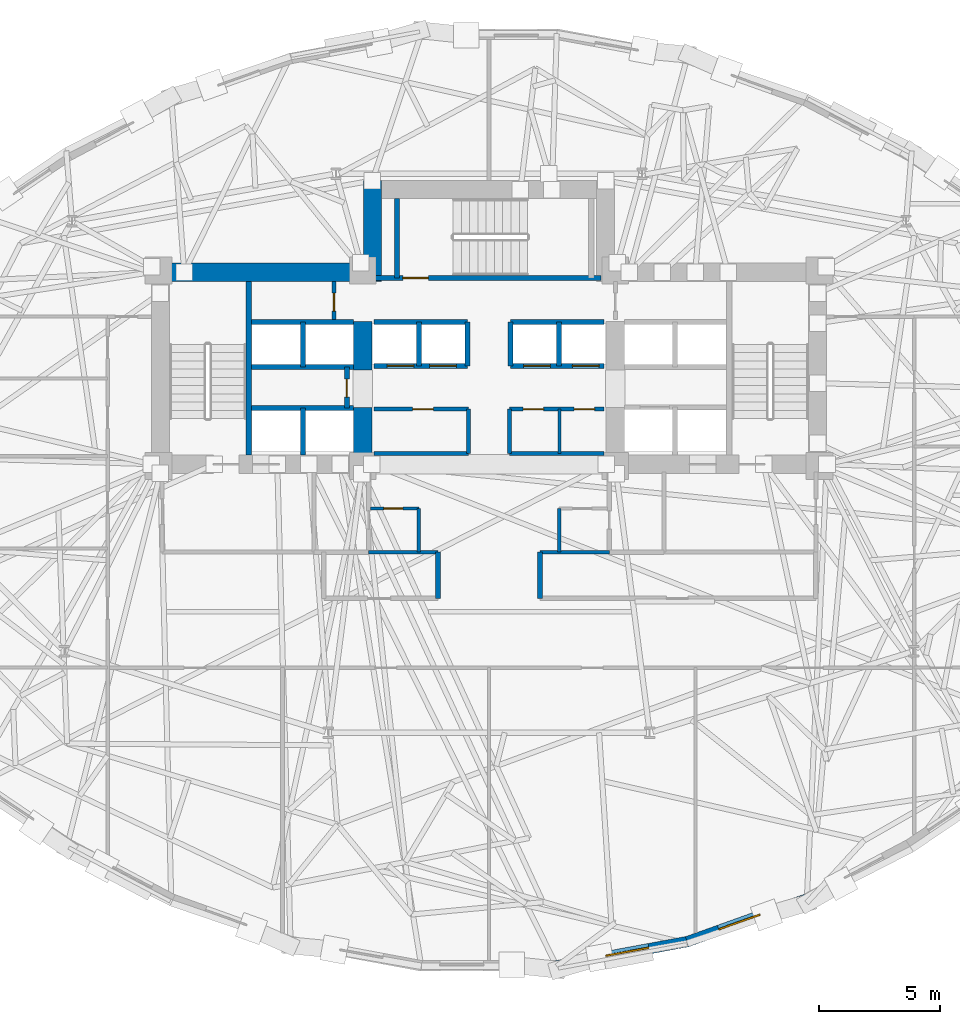
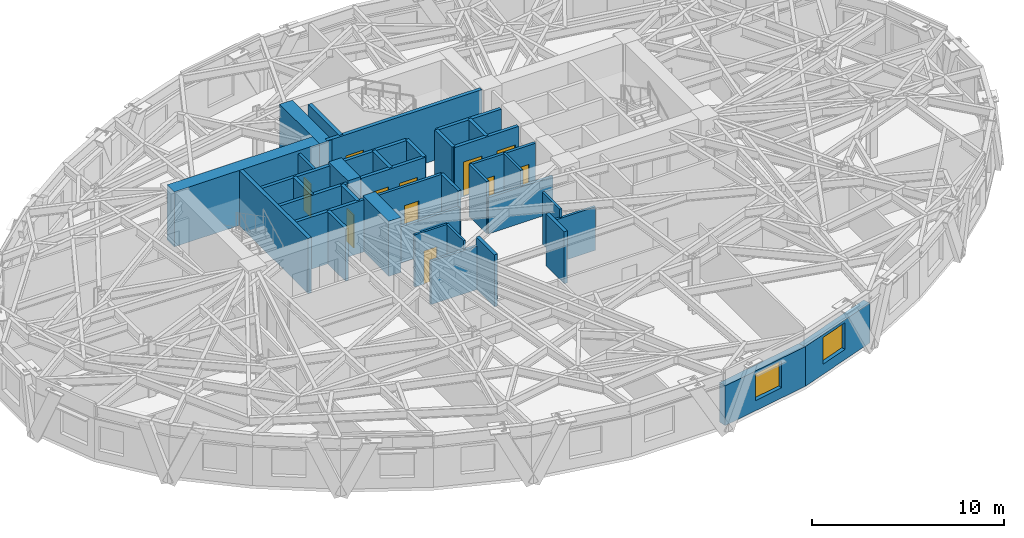
# One storey, part 8 of 15: 38 walls, 11 doors, 2 windows, 13 openings.
"""IFC4 building model written with IfcOpenShell, lengths in metres."""

from ifc_helpers import new_model, si_unit, direction, frame, frame_2d, origin, place, context, subcontext, project, spatial, rectangle, extrude, material, layer, layer_set, type_object, element, fill, save


model = new_model("IFC4")

# Units and contexts
model_context = context("Model", 3, precision=1e-05, world=origin(), true_north=direction((0.0, 1.0)))
body_context = subcontext(model_context, "Body", "Model", "MODEL_VIEW")
ifc_project = project(units=[si_unit("LENGTHUNIT", "METRE"), si_unit("AREAUNIT", "SQUARE_METRE"), si_unit("VOLUMEUNIT", "CUBIC_METRE"), si_unit("PLANEANGLEUNIT", "RADIAN"), si_unit("MASSUNIT", "GRAM", prefix="KILO")], contexts=[model_context])

# Site, building, storey
site_placement = place(None, origin())
site = spatial("IfcSite", under=ifc_project, at=site_placement, CompositionType="ELEMENT")
building_placement = place(site_placement, origin())
building = spatial("IfcBuilding", under=site, at=building_placement, Name="Keldmark Tower", CompositionType="ELEMENT")
storey_placement = place(building_placement, frame((0.0, 0.0, 93.10009765625)))
storey = spatial("IfcBuildingStorey", under=building, at=storey_placement, Name="L24", CompositionType="ELEMENT", Elevation=93.10009765625)

# Walls
ifc_material_1 = material(Name="Heavy Acoustic Plumbing Chase Gypsum Assembly", Category="gypsum")
ifc_layer_1 = layer(ifc_material_1, 0.18994140625)
ifc_layer_set_1 = layer_set([ifc_layer_1], Name="Heavy Acoustic Plumbing Chase Gypsum Assembly")
wall_type_1 = type_object("IfcWallType", Name="Heavy Wet Wall 190 mm", PredefinedType="PLUMBINGWALL", material=ifc_layer_set_1)
for number, where, z_axis, x_axis, name in (
    (1, (-2.10009765625, -4.050048828125, 0.0), (0.0, 0.0, 1.0), (0.0, 1.0, 0.0), "L24 Heavy Wet Wall 190 mm SPK-W-E"),
    (2, (2.10009765625, -4.050048828125, 0.0), (0.0, 0.0, 1.0), (0.0, 1.0, 0.0), "L24 Heavy Wet Wall 190 mm SPK-E-W"),
):
    element("IfcWall", number, at=place(storey_placement, frame(where, z_axis=z_axis, x_axis=x_axis)), inside=storey, type_object=wall_type_1, Name=name, PredefinedType="PLUMBINGWALL", context=body_context, shape_type="SweptSolid", body=[
        extrude(rectangle(XDim=1.900146484375, YDim=0.18994140625, at=frame_2d((0.9501953125, 0.0))), origin(), (0.0, 0.0, 1.0), 3.309814453125),
    ])

# Wall, opening, door
ifc_material_2 = material(Name="Acoustic Gypsum Board Interior Partition", Category="gypsum")
ifc_layer_2 = layer(ifc_material_2, 0.1298828125)
ifc_layer_set_2 = layer_set([ifc_layer_2], Name="Acoustic Gypsum Board Interior Partition")
wall_type_2 = type_object("IfcWallType", Name="Interior Partition 130 mm", PredefinedType="PARTITIONING", material=ifc_layer_set_2)
wall_1_placement = place(storey_placement, frame((-4.8798828125, -0.35009765625, 0.0), z_axis=(0.0, 0.0, 1.0), x_axis=(1.0, 0.0, 0.0)))
wall_1 = element("IfcWall", 3, at=wall_1_placement, inside=storey, type_object=wall_type_2, Name="L24 Interior Partition 130 mm CSC-W-N", PredefinedType="PARTITIONING", context=body_context, shape_type="SweptSolid", body=[
    extrude(rectangle(XDim=1.989990234375, YDim=0.1298828125, at=frame_2d((0.9951171875, 0.0))), origin(), (0.0, 0.0, 1.0), 3.309814453125),
])
opening_1_placement = place(wall_1_placement, frame((0.550048828125, 0.0, 0.0)))
opening_1 = element("IfcOpeningElement", 4, at=opening_1_placement, cuts=wall_1, Name="Opening D-CL078", PredefinedType="OPENING", context=body_context, shape_type="SweptSolid", body=[
    extrude(rectangle(XDim=0.780029296875, YDim=2.10009765625, at=frame_2d((0.39013671875, 1.050048828125))), frame((0.0, 0.074951171875, 0.0), z_axis=(0.0, -1.0, 0.0), x_axis=(1.0, 0.0, 0.0)), (0.0, 0.0, 1.0), 0.14990234375),
])
ifc_material_3 = material(Name="Flush Utility Closet Timber Door", Category="wood")
door_type_1 = type_object("IfcDoorType", Name="Closet Door 780x2100", OperationType="NOTDEFINED", PredefinedType="DOOR", material=ifc_material_3)
door_1_placement = place(opening_1_placement, origin())
door_1 = element("IfcDoor", 5, at=door_1_placement, inside=storey, type_object=door_type_1, Name="L24 Closet Door 780x2100 D-CSCW1-L24", OperationType="SINGLE_SWING_LEFT", OverallHeight=2.10009765625, OverallWidth=0.780029296875, PredefinedType="DOOR", context=body_context, shape_type="SweptSolid", body=[
    extrude(rectangle(XDim=0.780029296875, YDim=2.10009765625, at=frame_2d((0.39013671875, 1.050048828125))), frame((0.0, 0.02490234375, 0.0), z_axis=(0.0, -1.0, 0.0), x_axis=(1.0, 0.0, 0.0)), (0.0, 0.0, 1.0), 0.050048828125),
])
fill(opening_1, door_1)

# Walls
for number, where, z_axis, x_axis, name in (
    (6, (-2.889892578125, -2.14990234375, 0.0), (0.0, 0.0, 1.0), (0.0, 1.0, 0.0), "L24 Interior Partition 130 mm CSC-W-E"),
    (7, (2.889892578125, -2.14990234375, 0.0), (0.0, 0.0, 1.0), (0.0, 1.0, 0.0), "L24 Interior Partition 130 mm CSC-E-W"),
):
    element("IfcWall", number, at=place(storey_placement, frame(where, z_axis=z_axis, x_axis=x_axis)), inside=storey, type_object=wall_type_2, Name=name, PredefinedType="PARTITIONING", context=body_context, shape_type="SweptSolid", body=[
        extrude(rectangle(XDim=1.7998046875, YDim=0.1298828125, at=frame_2d((0.89990234375, 0.0))), origin(), (0.0, 0.0, 1.0), 3.309814453125),
    ])
wall_2_placement = place(storey_placement, frame((2.89990234375, 1.919921875, 0.0), z_axis=(0.0, 0.0, 1.0), x_axis=(0.0, 1.0, 0.0)))
element("IfcWall", 8, at=wall_2_placement, inside=storey, type_object=wall_type_2, Name="L24 Interior Partition 130 mm REC-LE-M", PredefinedType="PARTITIONING", context=body_context, shape_type="SweptSolid", body=[
    extrude(rectangle(XDim=1.820068359375, YDim=0.1298828125, at=frame_2d((0.91015625, 0.0))), origin(), (0.0, 0.0, 1.0), 3.309814453125),
])
ifc_material_4 = material(Name="Concrete C70/85", Category="concrete")
ifc_layer_3 = layer(ifc_material_4, 0.75)
ifc_layer_set_3 = layer_set([ifc_layer_3], Name="Concrete C70/85")
wall_type_3 = type_object("IfcWallType", Name="Low-Mid Core Shear Wall 750 mm", PredefinedType="SHEAR", material=ifc_layer_set_3)
wall_3_placement = place(storey_placement, frame((-13.89990234375, 9.375, 0.0), z_axis=(0.0, 0.0, 1.0), x_axis=(1.0, 0.0, 0.0)))
element("IfcWall", 9, at=wall_3_placement, inside=storey, type_object=wall_type_3, Name="L24 West Core North Shear Wall", PredefinedType="SHEAR", context=body_context, shape_type="SweptSolid", body=[
    extrude(rectangle(XDim=9.474853515625, YDim=0.75, at=frame_2d((4.7373046875, 0.0))), origin(), (0.0, 0.0, 1.0), 3.5),
])
wall_4_placement = place(storey_placement, frame((-5.199951171875, 1.10009765625, 0.0), z_axis=(0.0, 0.0, 1.0), x_axis=(0.0, 1.0, 0.0)))
element("IfcWall", 10, at=wall_4_placement, inside=storey, type_object=wall_type_3, Name="L24 West Core Inner Shear Pier South", PredefinedType="SHEAR", context=body_context, shape_type="SweptSolid", body=[
    extrude(rectangle(XDim=2.699951171875, YDim=0.75, at=frame_2d((1.35009765625, 0.0))), origin(), (0.0, 0.0, 1.0), 3.5),
])
wall_5_placement = place(storey_placement, frame((-5.199951171875, 5.35009765625, 0.0), z_axis=(0.0, 0.0, 1.0), x_axis=(0.0, 1.0, 0.0)))
element("IfcWall", 11, at=wall_5_placement, inside=storey, type_object=wall_type_3, Name="L24 West Core Inner Shear Pier North", PredefinedType="SHEAR", context=body_context, shape_type="SweptSolid", body=[
    extrude(rectangle(XDim=2.0, YDim=0.75, at=frame_2d((1.0, 0.0))), origin(), (0.0, 0.0, 1.0), 3.5),
])
wall_6_placement = place(storey_placement, frame((-4.800048828125, 9.0, 0.0), z_axis=(0.0, 0.0, 1.0), x_axis=(0.0, 1.0, 0.0)))
element("IfcWall", 12, at=wall_6_placement, inside=storey, type_object=wall_type_3, Name="L24 North Core West Shear Wall", PredefinedType="SHEAR", context=body_context, shape_type="SweptSolid", body=[
    extrude(rectangle(XDim=4.14990234375, YDim=0.75, at=frame_2d((2.074951171875, 0.0))), origin(), (0.0, 0.0, 1.0), 3.5),
])
ifc_material_5 = material(Name="Type X Fire-Rated Gypsum Partition Assembly", Category="gypsum")
ifc_layer_4 = layer(ifc_material_5, 0.1650390625)
ifc_layer_set_4 = layer_set([ifc_layer_4], Name="Type X Fire-Rated Gypsum Partition Assembly")
wall_type_4 = type_object("IfcWallType", Name="Rated Partition 165 mm", PredefinedType="PARTITIONING", material=ifc_layer_set_4)
wall_7_placement = place(storey_placement, frame((-4.739990234375, 1.919921875, 0.0), z_axis=(0.0, 0.0, 1.0), x_axis=(1.0, 0.0, 0.0)))
element("IfcWall", 13, at=wall_7_placement, inside=storey, type_object=wall_type_4, Name="L24 Rated Partition 165 mm REC-LW-S", PredefinedType="PARTITIONING", context=body_context, shape_type="SweptSolid", body=[
    extrude(rectangle(XDim=3.889892578125, YDim=0.1650390625, at=frame_2d((1.94482421875, 0.0))), origin(), (0.0, 0.0, 1.0), 2.2998046875),
])

# Wall, opening, door
wall_8_placement = place(storey_placement, frame((-4.739990234375, 3.739990234375, 0.0), z_axis=(0.0, 0.0, 1.0), x_axis=(1.0, 0.0, 0.0)))
wall_8 = element("IfcWall", 14, at=wall_8_placement, inside=storey, type_object=wall_type_4, Name="L24 Rated Partition 165 mm REC-LW-N", PredefinedType="PARTITIONING", context=body_context, shape_type="SweptSolid", body=[
    extrude(rectangle(XDim=3.889892578125, YDim=0.1650390625, at=frame_2d((1.94482421875, 0.0))), origin(), (0.0, 0.0, 1.0), 3.309814453125),
])
opening_2_placement = place(wall_8_placement, frame((1.60009765625, 0.0, 0.0)))
opening_2 = element("IfcOpeningElement", 15, at=opening_2_placement, cuts=wall_8, Name="Opening D-SV085", PredefinedType="OPENING", context=body_context, shape_type="SweptSolid", body=[
    extrude(rectangle(XDim=0.85009765625, YDim=2.10009765625, at=frame_2d((0.425048828125, 1.050048828125))), frame((0.0, 0.092529296875, 0.0), z_axis=(0.0, -1.0, 0.0), x_axis=(1.0, 0.0, 0.0)), (0.0, 0.0, 1.0), 0.18505859375),
])
ifc_material_6 = material(Name="Painted Hollow Metal Door Assembly", Category="metal")
door_type_2 = type_object("IfcDoorType", Name="Service Door 850x2100", OperationType="NOTDEFINED", PredefinedType="DOOR", material=ifc_material_6)
door_2_placement = place(opening_2_placement, origin())
door_2 = element("IfcDoor", 16, at=door_2_placement, inside=storey, type_object=door_type_2, Name="L24 Service Door 850x2100 D-RECLW1-L24", OperationType="SINGLE_SWING_LEFT", OverallHeight=2.10009765625, OverallWidth=0.85009765625, PredefinedType="DOOR", context=body_context, shape_type="SweptSolid", body=[
    extrude(rectangle(XDim=0.85009765625, YDim=2.10009765625, at=frame_2d((0.425048828125, 1.050048828125))), frame((0.0, 0.02490234375, 0.0), z_axis=(0.0, -1.0, 0.0), x_axis=(1.0, 0.0, 0.0)), (0.0, 0.0, 1.0), 0.050048828125),
])
fill(opening_2, door_2)

# Walls
wall_9_placement = place(storey_placement, frame((-0.85009765625, 1.919921875, 0.0), z_axis=(0.0, 0.0, 1.0), x_axis=(0.0, 1.0, 0.0)))
element("IfcWall", 17, at=wall_9_placement, inside=storey, type_object=wall_type_4, Name="L24 Rated Partition 165 mm REC-LW-E", PredefinedType="PARTITIONING", context=body_context, shape_type="SweptSolid", body=[
    extrude(rectangle(XDim=1.820068359375, YDim=0.1650390625, at=frame_2d((0.91015625, 0.0))), origin(), (0.0, 0.0, 1.0), 3.309814453125),
])
wall_10_placement = place(storey_placement, frame((0.85009765625, 1.919921875, 0.0), z_axis=(0.0, 0.0, 1.0), x_axis=(1.0, 0.0, 0.0)))
element("IfcWall", 18, at=wall_10_placement, inside=storey, type_object=wall_type_4, Name="L24 Rated Partition 165 mm REC-LE-S", PredefinedType="PARTITIONING", context=body_context, shape_type="SweptSolid", body=[
    extrude(rectangle(XDim=3.889892578125, YDim=0.1650390625, at=frame_2d((1.94482421875, 0.0))), origin(), (0.0, 0.0, 1.0), 2.2998046875),
])

# Wall, openings, doors
wall_11_placement = place(storey_placement, frame((0.85009765625, 3.739990234375, 0.0), z_axis=(0.0, 0.0, 1.0), x_axis=(1.0, 0.0, 0.0)))
wall_11 = element("IfcWall", 19, at=wall_11_placement, inside=storey, type_object=wall_type_4, Name="L24 Rated Partition 165 mm REC-LE-N", PredefinedType="PARTITIONING", context=body_context, shape_type="SweptSolid", body=[
    extrude(rectangle(XDim=3.889892578125, YDim=0.1650390625, at=frame_2d((1.94482421875, 0.0))), origin(), (0.0, 0.0, 1.0), 3.309814453125),
])
opening_3_placement = place(wall_11_placement, frame((0.550048828125, 0.0, 0.0)))
opening_3 = element("IfcOpeningElement", 20, at=opening_3_placement, cuts=wall_11, Name="Opening D-SV085", PredefinedType="OPENING", context=body_context, shape_type="SweptSolid", body=[
    extrude(rectangle(XDim=0.85009765625, YDim=2.10009765625, at=frame_2d((0.425048828125, 1.050048828125))), frame((0.0, 0.092529296875, 0.0), z_axis=(0.0, -1.0, 0.0), x_axis=(1.0, 0.0, 0.0)), (0.0, 0.0, 1.0), 0.18505859375),
])
opening_4_placement = place(wall_11_placement, frame((2.64990234375, 0.0, 0.0)))
opening_4 = element("IfcOpeningElement", 21, at=opening_4_placement, cuts=wall_11, Name="Opening D-SV085", PredefinedType="OPENING", context=body_context, shape_type="SweptSolid", body=[
    extrude(rectangle(XDim=0.85009765625, YDim=2.10009765625, at=frame_2d((0.425048828125, 1.050048828125))), frame((0.0, 0.092529296875, 0.0), z_axis=(0.0, -1.0, 0.0), x_axis=(1.0, 0.0, 0.0)), (0.0, 0.0, 1.0), 0.18505859375),
])
door_3_placement = place(opening_3_placement, origin())
door_3 = element("IfcDoor", 22, at=door_3_placement, inside=storey, type_object=door_type_2, Name="L24 Service Door 850x2100 D-RECLE1-L24", OperationType="SINGLE_SWING_LEFT", OverallHeight=2.10009765625, OverallWidth=0.85009765625, PredefinedType="DOOR", context=body_context, shape_type="SweptSolid", body=[
    extrude(rectangle(XDim=0.85009765625, YDim=2.10009765625, at=frame_2d((0.425048828125, 1.050048828125))), frame((0.0, 0.02490234375, 0.0), z_axis=(0.0, -1.0, 0.0), x_axis=(1.0, 0.0, 0.0)), (0.0, 0.0, 1.0), 0.050048828125),
])
fill(opening_3, door_3)
door_4_placement = place(opening_4_placement, origin())
door_4 = element("IfcDoor", 23, at=door_4_placement, inside=storey, type_object=door_type_2, Name="L24 Service Door 850x2100 D-RECLE2-L24", OperationType="SINGLE_SWING_RIGHT", OverallHeight=2.10009765625, OverallWidth=0.85009765625, PredefinedType="DOOR", context=body_context, shape_type="SweptSolid", body=[
    extrude(rectangle(XDim=0.85009765625, YDim=2.10009765625, at=frame_2d((0.425048828125, 1.050048828125))), frame((0.0, 0.02490234375, 0.0), z_axis=(0.0, -1.0, 0.0), x_axis=(1.0, 0.0, 0.0)), (0.0, 0.0, 1.0), 0.050048828125),
])
fill(opening_4, door_4)

# Wall
wall_12_placement = place(storey_placement, frame((0.85009765625, 1.919921875, 0.0), z_axis=(0.0, 0.0, 1.0), x_axis=(0.0, 1.0, 0.0)))
element("IfcWall", 24, at=wall_12_placement, inside=storey, type_object=wall_type_4, Name="L24 Rated Partition 165 mm REC-LE-W", PredefinedType="PARTITIONING", context=body_context, shape_type="SweptSolid", body=[
    extrude(rectangle(XDim=1.820068359375, YDim=0.1650390625, at=frame_2d((0.91015625, 0.0))), origin(), (0.0, 0.0, 1.0), 3.309814453125),
])

# Wall, opening, door
wall_13_placement = place(storey_placement, frame((-6.3798828125, 7.419921875, 0.0), z_axis=(0.0, 0.0, 1.0), x_axis=(0.0, 1.0, 0.0)))
wall_13 = element("IfcWall", 25, at=wall_13_placement, inside=storey, type_object=wall_type_4, Name="L24 Rated Partition 165 mm CS-NW-E", PredefinedType="PARTITIONING", context=body_context, shape_type="SweptSolid", body=[
    extrude(rectangle(XDim=1.580078125, YDim=0.1650390625, at=frame_2d((0.7900390625, 0.0))), origin(), (0.0, 0.0, 1.0), 3.309814453125),
])
opening_5_placement = place(wall_13_placement, frame((0.35009765625, 0.0, 0.0)))
opening_5 = element("IfcOpeningElement", 26, at=opening_5_placement, cuts=wall_13, Name="Opening D-RS075", PredefinedType="OPENING", context=body_context, shape_type="SweptSolid", body=[
    extrude(rectangle(XDim=0.75, YDim=2.10009765625, at=frame_2d((0.375, 1.050048828125))), frame((0.0, 0.092529296875, 0.0), z_axis=(0.0, -1.0, 0.0), x_axis=(1.0, 0.0, 0.0)), (0.0, 0.0, 1.0), 0.18505859375),
])
ifc_material_7 = material(Name="Galvanized Fire-Rated Access Leaf", Category="metal")
door_type_3 = type_object("IfcDoorType", Name="Riser Access Door 750x2100", OperationType="NOTDEFINED", PredefinedType="DOOR", material=ifc_material_7)
door_5_placement = place(opening_5_placement, origin())
door_5 = element("IfcDoor", 27, at=door_5_placement, inside=storey, type_object=door_type_3, Name="L24 Riser Access Door 750x2100 D-CSNW1-L24", OperationType="SINGLE_SWING_RIGHT", OverallHeight=2.10009765625, OverallWidth=0.75, PredefinedType="DOOR", context=body_context, shape_type="SweptSolid", body=[
    extrude(rectangle(XDim=0.75, YDim=2.10009765625, at=frame_2d((0.375, 1.050048828125))), frame((0.0, 0.02490234375, 0.0), z_axis=(0.0, -1.0, 0.0), x_axis=(1.0, 0.0, 0.0)), (0.0, 0.0, 1.0), 0.050048828125),
])
fill(opening_5, door_5)

# Walls
ifc_material_8 = material(Name="Fire-Resistant Type X Gypsum Shaftliner Coreboard", Category="gypsum")
ifc_layer_5 = layer(ifc_material_8, 0.199951171875)
ifc_layer_set_5 = layer_set([ifc_layer_5], Name="Fire-Resistant Type X Gypsum Shaftliner Coreboard")
wall_type_5 = type_object("IfcWallType", Name="Shaft Wall 200 mm", PredefinedType="SOLIDWALL", material=ifc_layer_set_5)
wall_14_placement = place(storey_placement, frame((-9.780029296875, 3.780029296875, 0.0), z_axis=(0.0, 0.0, 1.0), x_axis=(1.0, 0.0, 0.0)))
element("IfcWall", 28, at=wall_14_placement, inside=storey, type_object=wall_type_5, Name="L24 Shaft Wall 200 mm HW-W-S", PredefinedType="SOLIDWALL", context=body_context, shape_type="SweptSolid", body=[
    extrude(rectangle(XDim=4.205078125, YDim=0.199951171875, at=frame_2d((2.1025390625, 0.0))), origin(), (0.0, 0.0, 1.0), 3.309814453125),
])
wall_15_placement = place(storey_placement, frame((-7.64990234375, 1.85009765625, 0.0), z_axis=(0.0, 0.0, 1.0), x_axis=(0.0, 1.0, 0.0)))
element("IfcWall", 29, at=wall_15_placement, inside=storey, type_object=wall_type_5, Name="L24 Shaft Wall 200 mm HW-W-M", PredefinedType="SOLIDWALL", context=body_context, shape_type="SweptSolid", body=[
    extrude(rectangle(XDim=1.929931640625, YDim=0.199951171875, at=frame_2d((0.96484375, 0.0))), origin(), (0.0, 0.0, 1.0), 3.309814453125),
])
for number, where, z_axis, x_axis, name in (
    (30, (-9.780029296875, 5.469970703125, 0.0), (0.0, 0.0, 1.0), (1.0, 0.0, 0.0), "L24 Shaft Wall 200 mm HW-W-N"),
    (31, (-9.780029296875, 7.330078125, 0.0), (0.0, 0.0, 1.0), (1.0, 0.0, 0.0), "L24 Shaft Wall 200 mm HW-W-TOP"),
):
    element("IfcWall", number, at=place(storey_placement, frame(where, z_axis=z_axis, x_axis=x_axis)), inside=storey, type_object=wall_type_5, Name=name, PredefinedType="SOLIDWALL", context=body_context, shape_type="SweptSolid", body=[
        extrude(rectangle(XDim=4.205078125, YDim=0.199951171875, at=frame_2d((2.1025390625, 0.0))), origin(), (0.0, 0.0, 1.0), 3.309814453125),
    ])
wall_16_placement = place(storey_placement, frame((-7.64990234375, 5.469970703125, 0.0), z_axis=(0.0, 0.0, 1.0), x_axis=(0.0, 1.0, 0.0)))
element("IfcWall", 32, at=wall_16_placement, inside=storey, type_object=wall_type_5, Name="L24 Shaft Wall 200 mm HW-W-NM", PredefinedType="SOLIDWALL", context=body_context, shape_type="SweptSolid", body=[
    extrude(rectangle(XDim=1.860107421875, YDim=0.199951171875, at=frame_2d((0.93017578125, 0.0))), origin(), (0.0, 0.0, 1.0), 3.309814453125),
])

# Wall, opening, door
wall_17_placement = place(storey_placement, frame((-5.85009765625, 3.780029296875, 0.0), z_axis=(0.0, 0.0, 1.0), x_axis=(0.0, 1.0, 0.0)))
wall_17 = element("IfcWall", 33, at=wall_17_placement, inside=storey, type_object=wall_type_5, Name="L24 Shaft Wall 200 mm HW-W-CLOSE", PredefinedType="SOLIDWALL", context=body_context, shape_type="SweptSolid", body=[
    extrude(rectangle(XDim=1.68994140625, YDim=0.199951171875, at=frame_2d((0.844970703125, 0.0))), origin(), (0.0, 0.0, 1.0), 3.309814453125),
])
opening_6_placement = place(wall_17_placement, frame((0.449951171875, 0.0, 0.0)))
opening_6 = element("IfcOpeningElement", 34, at=opening_6_placement, cuts=wall_17, Name="Opening D-RS075", PredefinedType="OPENING", context=body_context, shape_type="SweptSolid", body=[
    extrude(rectangle(XDim=0.75, YDim=2.10009765625, at=frame_2d((0.375, 1.050048828125))), frame((0.0, 0.10986328125, 0.0), z_axis=(0.0, -1.0, 0.0), x_axis=(1.0, 0.0, 0.0)), (0.0, 0.0, 1.0), 0.219970703125),
])
door_6_placement = place(opening_6_placement, origin())
door_6 = element("IfcDoor", 35, at=door_6_placement, inside=storey, type_object=door_type_3, Name="L24 Riser Access Door 750x2100 D-RISHW-L24", OperationType="SINGLE_SWING_RIGHT", OverallHeight=2.10009765625, OverallWidth=0.75, PredefinedType="DOOR", context=body_context, shape_type="SweptSolid", body=[
    extrude(rectangle(XDim=0.75, YDim=2.10009765625, at=frame_2d((0.375, 1.050048828125))), frame((0.0, 0.02490234375, 0.0), z_axis=(0.0, -1.0, 0.0), x_axis=(1.0, 0.0, 0.0)), (0.0, 0.0, 1.0), 0.050048828125),
])
fill(opening_6, door_6)

# Wall, openings, doors
wall_18_placement = place(storey_placement, frame((-4.739990234375, 5.52001953125, 0.0), z_axis=(0.0, 0.0, 1.0), x_axis=(1.0, 0.0, 0.0)))
wall_18 = element("IfcWall", 36, at=wall_18_placement, inside=storey, type_object=wall_type_5, Name="L24 Shaft Wall 200 mm MID-S-W", PredefinedType="SOLIDWALL", context=body_context, shape_type="SweptSolid", body=[
    extrude(rectangle(XDim=3.860107421875, YDim=0.199951171875, at=frame_2d((1.93017578125, 0.0))), origin(), (0.0, 0.0, 1.0), 3.309814453125),
])
opening_7_placement = place(wall_18_placement, frame((0.550048828125, 0.0, 0.0)))
opening_7 = element("IfcOpeningElement", 37, at=opening_7_placement, cuts=wall_18, Name="Opening LD-110", PredefinedType="OPENING", context=body_context, shape_type="SweptSolid", body=[
    extrude(rectangle(XDim=1.10009765625, YDim=2.199951171875, at=frame_2d((0.550048828125, 1.10009765625))), frame((0.0, 0.10986328125, 0.0), z_axis=(0.0, -1.0, 0.0), x_axis=(1.0, 0.0, 0.0)), (0.0, 0.0, 1.0), 0.219970703125),
])
opening_8_placement = place(wall_18_placement, frame((2.300048828125, 0.0, 0.0)))
opening_8 = element("IfcOpeningElement", 38, at=opening_8_placement, cuts=wall_18, Name="Opening LD-110", PredefinedType="OPENING", context=body_context, shape_type="SweptSolid", body=[
    extrude(rectangle(XDim=1.10009765625, YDim=2.199951171875, at=frame_2d((0.550048828125, 1.10009765625))), frame((0.0, 0.10986328125, 0.0), z_axis=(0.0, -1.0, 0.0), x_axis=(1.0, 0.0, 0.0)), (0.0, 0.0, 1.0), 0.219970703125),
])
ifc_material_9 = material(Name="Brushed Bronze Hoistway Sliding Leaf", Category="metal")
door_type_4 = type_object("IfcDoorType", Name="Lift Landing Sliding Door 1100x2200", OperationType="SLIDING_TO_LEFT", PredefinedType="DOOR", material=ifc_material_9)
door_7_placement = place(opening_7_placement, origin())
door_7 = element("IfcDoor", 39, at=door_7_placement, inside=storey, type_object=door_type_4, Name="L24 Lift Landing Sliding Door 1100x2200 LD-EL-M1-L24", OperationType="SLIDING_TO_LEFT", OverallHeight=2.199951171875, OverallWidth=1.10009765625, PredefinedType="DOOR", context=body_context, shape_type="SweptSolid", body=[
    extrude(rectangle(XDim=1.10009765625, YDim=2.199951171875, at=frame_2d((0.550048828125, 1.10009765625))), frame((0.0, 0.02490234375, 0.0), z_axis=(0.0, -1.0, 0.0), x_axis=(1.0, 0.0, 0.0)), (0.0, 0.0, 1.0), 0.050048828125),
])
fill(opening_7, door_7)
door_8_placement = place(opening_8_placement, origin())
door_8 = element("IfcDoor", 40, at=door_8_placement, inside=storey, type_object=door_type_4, Name="L24 Lift Landing Sliding Door 1100x2200 LD-EL-M2-L24", OperationType="SLIDING_TO_LEFT", OverallHeight=2.199951171875, OverallWidth=1.10009765625, PredefinedType="DOOR", context=body_context, shape_type="SweptSolid", body=[
    extrude(rectangle(XDim=1.10009765625, YDim=2.199951171875, at=frame_2d((0.550048828125, 1.10009765625))), frame((0.0, 0.02490234375, 0.0), z_axis=(0.0, -1.0, 0.0), x_axis=(1.0, 0.0, 0.0)), (0.0, 0.0, 1.0), 0.050048828125),
])
fill(opening_8, door_8)

wall_19_placement = place(storey_placement, frame((0.8798828125, 5.52001953125, 0.0), z_axis=(0.0, 0.0, 1.0), x_axis=(1.0, 0.0, 0.0)))
wall_19 = element("IfcWall", 41, at=wall_19_placement, inside=storey, type_object=wall_type_5, Name="L24 Shaft Wall 200 mm MID-S-E", PredefinedType="SOLIDWALL", context=body_context, shape_type="SweptSolid", body=[
    extrude(rectangle(XDim=3.860107421875, YDim=0.199951171875, at=frame_2d((1.93017578125, 0.0))), origin(), (0.0, 0.0, 1.0), 3.309814453125),
])
opening_9_placement = place(wall_19_placement, frame((0.550048828125, 0.0, 0.0)))
opening_9 = element("IfcOpeningElement", 42, at=opening_9_placement, cuts=wall_19, Name="Opening LD-110", PredefinedType="OPENING", context=body_context, shape_type="SweptSolid", body=[
    extrude(rectangle(XDim=1.10009765625, YDim=2.199951171875, at=frame_2d((0.550048828125, 1.10009765625))), frame((0.0, 0.10986328125, 0.0), z_axis=(0.0, -1.0, 0.0), x_axis=(1.0, 0.0, 0.0)), (0.0, 0.0, 1.0), 0.219970703125),
])
opening_10_placement = place(wall_19_placement, frame((2.550048828125, 0.0, 0.0)))
opening_10 = element("IfcOpeningElement", 43, at=opening_10_placement, cuts=wall_19, Name="Opening LD-110", PredefinedType="OPENING", context=body_context, shape_type="SweptSolid", body=[
    extrude(rectangle(XDim=1.10009765625, YDim=2.199951171875, at=frame_2d((0.550048828125, 1.10009765625))), frame((0.0, 0.10986328125, 0.0), z_axis=(0.0, -1.0, 0.0), x_axis=(1.0, 0.0, 0.0)), (0.0, 0.0, 1.0), 0.219970703125),
])
door_9_placement = place(opening_9_placement, origin())
door_9 = element("IfcDoor", 44, at=door_9_placement, inside=storey, type_object=door_type_4, Name="L24 Lift Landing Sliding Door 1100x2200 LD-EL-M3-L24", OperationType="SLIDING_TO_LEFT", OverallHeight=2.199951171875, OverallWidth=1.10009765625, PredefinedType="DOOR", context=body_context, shape_type="SweptSolid", body=[
    extrude(rectangle(XDim=1.10009765625, YDim=2.199951171875, at=frame_2d((0.550048828125, 1.10009765625))), frame((0.0, 0.02490234375, 0.0), z_axis=(0.0, -1.0, 0.0), x_axis=(1.0, 0.0, 0.0)), (0.0, 0.0, 1.0), 0.050048828125),
])
fill(opening_9, door_9)
door_10_placement = place(opening_10_placement, origin())
door_10 = element("IfcDoor", 45, at=door_10_placement, inside=storey, type_object=door_type_4, Name="L24 Lift Landing Sliding Door 1100x2200 LD-EL-M4-L24", OperationType="SLIDING_TO_LEFT", OverallHeight=2.199951171875, OverallWidth=1.10009765625, PredefinedType="DOOR", context=body_context, shape_type="SweptSolid", body=[
    extrude(rectangle(XDim=1.10009765625, YDim=2.199951171875, at=frame_2d((0.550048828125, 1.10009765625))), frame((0.0, 0.02490234375, 0.0), z_axis=(0.0, -1.0, 0.0), x_axis=(1.0, 0.0, 0.0)), (0.0, 0.0, 1.0), 0.050048828125),
])
fill(opening_10, door_10)

# Walls
for number, where, z_axis, x_axis, name in (
    (46, (-4.739990234375, 7.330078125, 0.0), (0.0, 0.0, 1.0), (1.0, 0.0, 0.0), "L24 Shaft Wall 200 mm MID-N-W"),
    (47, (0.8798828125, 7.330078125, 0.0), (0.0, 0.0, 1.0), (1.0, 0.0, 0.0), "L24 Shaft Wall 200 mm MID-N-E"),
):
    element("IfcWall", number, at=place(storey_placement, frame(where, z_axis=z_axis, x_axis=x_axis)), inside=storey, type_object=wall_type_5, Name=name, PredefinedType="SOLIDWALL", context=body_context, shape_type="SweptSolid", body=[
        extrude(rectangle(XDim=3.860107421875, YDim=0.199951171875, at=frame_2d((1.93017578125, 0.0))), origin(), (0.0, 0.0, 1.0), 3.309814453125),
    ])
for number, where, z_axis, x_axis, name in (
    (48, (-2.8798828125, 5.52001953125, 0.0), (0.0, 0.0, 1.0), (0.0, 1.0, 0.0), "L24 Shaft Wall 200 mm MID-M-W"),
    (49, (2.8798828125, 5.52001953125, 0.0), (0.0, 0.0, 1.0), (0.0, 1.0, 0.0), "L24 Shaft Wall 200 mm MID-M-E"),
    (50, (-0.8798828125, 5.52001953125, 0.0), (0.0, 0.0, 1.0), (0.0, 1.0, 0.0), "L24 Shaft Wall 200 mm MID-C-W"),
    (51, (0.8798828125, 5.52001953125, 0.0), (0.0, 0.0, 1.0), (0.0, 1.0, 0.0), "L24 Shaft Wall 200 mm MID-C-E"),
):
    element("IfcWall", number, at=place(storey_placement, frame(where, z_axis=z_axis, x_axis=x_axis)), inside=storey, type_object=wall_type_5, Name=name, PredefinedType="SOLIDWALL", context=body_context, shape_type="SweptSolid", body=[
        extrude(rectangle(XDim=1.81005859375, YDim=0.199951171875, at=frame_2d((0.905029296875, 0.0))), origin(), (0.0, 0.0, 1.0), 3.309814453125),
    ])
ifc_material_10 = material(Name="Concrete C50/60", Category="concrete")
ifc_layer_6 = layer(ifc_material_10, 0.219970703125)
ifc_layer_set_6 = layer_set([ifc_layer_6], Name="Concrete C50/60")
wall_type_6 = type_object("IfcWallType", Name="Stair Core Shear Wall 220 mm", PredefinedType="SHEAR", material=ifc_layer_set_6)
wall_20_placement = place(storey_placement, frame((-9.889892578125, 1.85009765625, 0.0), z_axis=(0.0, 0.0, 1.0), x_axis=(0.0, 1.0, 0.0)))
element("IfcWall", 52, at=wall_20_placement, inside=storey, type_object=wall_type_6, Name="L24 West Stair Core Shear Wall", PredefinedType="SHEAR", context=body_context, shape_type="SweptSolid", body=[
    extrude(rectangle(XDim=7.14990234375, YDim=0.219970703125, at=frame_2d((3.574951171875, 0.0))), origin(), (0.0, 0.0, 1.0), 3.5),
])

# Wall, opening, door
wall_21_placement = place(storey_placement, frame((-4.699951171875, 9.139892578125, 0.0), z_axis=(0.0, 0.0, 1.0), x_axis=(1.0, 0.0, 0.0)))
wall_21 = element("IfcWall", 53, at=wall_21_placement, inside=storey, type_object=wall_type_6, Name="L24 Central Stair Core South Shear Wall", PredefinedType="SHEAR", context=body_context, shape_type="SweptSolid", body=[
    extrude(rectangle(XDim=9.300048828125, YDim=0.219970703125, at=frame_2d((4.64990234375, 0.0))), origin(), (0.0, 0.0, 1.0), 3.5),
])
opening_11_placement = place(wall_21_placement, frame((1.14990234375, 0.0, 0.0)))
opening_11 = element("IfcOpeningElement", 54, at=opening_11_placement, cuts=wall_21, Name="Opening D-ST105", PredefinedType="OPENING", context=body_context, shape_type="SweptSolid", body=[
    extrude(rectangle(XDim=1.050048828125, YDim=2.14990234375, at=frame_2d((0.52490234375, 1.074951171875))), frame((0.0, 0.119873046875, 0.0), z_axis=(0.0, -1.0, 0.0), x_axis=(1.0, 0.0, 0.0)), (0.0, 0.0, 1.0), 0.239990234375),
])
ifc_material_11 = material(Name="Hollow Metal Fire-Rated Door Assembly", Category="metal")
door_type_5 = type_object("IfcDoorType", Name="Stair Fire Door 1050x2150", OperationType="NOTDEFINED", PredefinedType="DOOR", material=ifc_material_11)
door_11_placement = place(opening_11_placement, origin())
door_11 = element("IfcDoor", 55, at=door_11_placement, inside=storey, type_object=door_type_5, Name="L24 Stair Fire Door 1050x2150 D-ST3-L24", OperationType="SINGLE_SWING_RIGHT", OverallHeight=2.14990234375, OverallWidth=1.050048828125, PredefinedType="DOOR", context=body_context, shape_type="SweptSolid", body=[
    extrude(rectangle(XDim=1.050048828125, YDim=2.14990234375, at=frame_2d((0.52490234375, 1.074951171875))), frame((0.0, 0.02490234375, 0.0), z_axis=(0.0, -1.0, 0.0), x_axis=(1.0, 0.0, 0.0)), (0.0, 0.0, 1.0), 0.050048828125),
])
fill(opening_11, door_11)

# Wall
wall_22_placement = place(storey_placement, frame((-3.784912109375, 9.139892578125, 0.0), z_axis=(0.0, 0.0, 1.0), x_axis=(0.0, 1.0, 0.0)))
element("IfcWall", 56, at=wall_22_placement, inside=storey, type_object=wall_type_6, Name="L24 Central Stair Core West Shear Wall", PredefinedType="SHEAR", context=body_context, shape_type="SweptSolid", body=[
    extrude(rectangle(XDim=3.260009765625, YDim=0.219970703125, at=frame_2d((1.6298828125, 0.0))), origin(), (0.0, 0.0, 1.0), 3.5),
])

# Wall, opening, window
ifc_material_12 = material(Name="Ironspot Manganese Brick and Kasota Buff Limestone Spandrel Assembly", Category="masonry")
ifc_layer_7 = layer(ifc_material_12, 0.43994140625)
ifc_layer_set_7 = layer_set([ifc_layer_7], Name="Ironspot Manganese Brick and Kasota Buff Limestone Spandrel Assembly")
wall_type_7 = type_object("IfcWallType", Name="Tower Brick Pier and Spandrel Wall 440 mm", PredefinedType="STANDARD", material=ifc_layer_set_7)
wall_23_placement = place(storey_placement, frame((8.18896484375, -18.172119140625, 0.0), z_axis=(0.0, 0.0, 1.0), x_axis=(-0.983175651308, -0.182662636232, 0.0)))
wall_23 = element("IfcWall", 57, at=wall_23_placement, inside=storey, type_object=wall_type_7, Name="L24 Exterior Brick and Spandrel Wall 25", PredefinedType="STANDARD", context=body_context, shape_type="SweptSolid", body=[
    extrude(rectangle(XDim=5.50390625, YDim=0.43994140625, at=frame_2d((2.751953125, 0.0))), origin(), (0.0, 0.0, 1.0), 2.52783203125),
])
opening_12_placement = place(wall_23_placement, frame((1.6298828125, 0.0, 0.64990234375)))
opening_12 = element("IfcOpeningElement", 58, at=opening_12_placement, cuts=wall_23, Name="Opening W-02", PredefinedType="OPENING", context=body_context, shape_type="SweptSolid", body=[
    extrude(rectangle(XDim=1.800048828125, YDim=1.699951171875, at=frame_2d((0.89990234375, 0.85009765625))), frame((0.0, 0.22998046875, 0.0), z_axis=(0.0, -1.0, 0.0), x_axis=(1.0, 0.0, 0.0)), (0.0, 0.0, 1.0), 0.4599609375),
])
ifc_material_13 = material(Name="Thermally Broken Anodized Aluminum and Triple Low-E Argon Glazing", Category="aluminium")
window_type = type_object("IfcWindowType", Name="Office Deep-Set Triple Window 1800x1700", PartitioningType="TRIPLE_PANEL_VERTICAL", PredefinedType="WINDOW", material=ifc_material_13)
window_1_placement = place(opening_12_placement, origin())
window_1 = element("IfcWindow", 59, at=window_1_placement, inside=storey, type_object=window_type, Name="L24 Deep-Set Window 25", OverallHeight=1.699951171875, OverallWidth=1.800048828125, PartitioningType="SINGLE_PANEL", PredefinedType="WINDOW", context=body_context, shape_type="SweptSolid", body=[
    extrude(rectangle(XDim=1.800048828125, YDim=1.699951171875, at=frame_2d((0.89990234375, 0.85009765625))), frame((0.0, -0.010009765625, 0.0), z_axis=(0.0, -1.0, 0.0), x_axis=(1.0, 0.0, 0.0)), (0.0, 0.0, 1.0), 0.06005859375),
])
fill(opening_12, window_1)

wall_24_placement = place(storey_placement, frame((13.0478515625, -16.43359375, 0.0), z_axis=(0.0, 0.0, 1.0), x_axis=(-0.941734469447, -0.336357234285, 0.0)))
wall_24 = element("IfcWall", 60, at=wall_24_placement, inside=storey, type_object=wall_type_7, Name="L24 Exterior Brick and Spandrel Wall 26", PredefinedType="STANDARD", context=body_context, shape_type="SweptSolid", body=[
    extrude(rectangle(XDim=5.195556640625, YDim=0.43994140625, at=frame_2d((2.59765625, 0.0))), origin(), (0.0, 0.0, 1.0), 2.52783203125),
])
opening_13_placement = place(wall_24_placement, frame((1.997314453125, 0.0, 0.64990234375)))
opening_13 = element("IfcOpeningElement", 61, at=opening_13_placement, cuts=wall_24, Name="Opening W-02", PredefinedType="OPENING", context=body_context, shape_type="SweptSolid", body=[
    extrude(rectangle(XDim=1.800048828125, YDim=1.699951171875, at=frame_2d((0.89990234375, 0.85009765625))), frame((0.0, 0.22998046875, 0.0), z_axis=(0.0, -1.0, 0.0), x_axis=(1.0, 0.0, 0.0)), (0.0, 0.0, 1.0), 0.4599609375),
])
window_2_placement = place(opening_13_placement, origin())
window_2 = element("IfcWindow", 62, at=window_2_placement, inside=storey, type_object=window_type, Name="L24 Deep-Set Window 26", OverallHeight=1.699951171875, OverallWidth=1.800048828125, PartitioningType="SINGLE_PANEL", PredefinedType="WINDOW", context=body_context, shape_type="SweptSolid", body=[
    extrude(rectangle(XDim=1.800048828125, YDim=1.699951171875, at=frame_2d((0.89990234375, 0.85009765625))), frame((0.0, -0.010009765625, 0.0), z_axis=(0.0, -1.0, 0.0), x_axis=(1.0, 0.0, 0.0)), (0.0, 0.0, 1.0), 0.06005859375),
])
fill(opening_13, window_2)

# Walls
ifc_material_14 = material(Name="Moisture-Resistant Gypsum Plumbing Partition", Category="gypsum")
ifc_layer_8 = layer(ifc_material_14, 0.14990234375)
ifc_layer_set_8 = layer_set([ifc_layer_8], Name="Moisture-Resistant Gypsum Plumbing Partition")
wall_type_8 = type_object("IfcWallType", Name="Wet Wall 150 mm", PredefinedType="PLUMBINGWALL", material=ifc_layer_set_8)
for number, where, z_axis, x_axis, name in (
    (63, (-4.949951171875, -2.14990234375, 0.0), (0.0, 0.0, 1.0), (1.0, 0.0, 0.0), "L24 Wet Wall 150 mm SPK-W-N"),
    (64, (2.10009765625, -2.14990234375, 0.0), (0.0, 0.0, 1.0), (1.0, 0.0, 0.0), "L24 Wet Wall 150 mm SPK-E-N"),
):
    element("IfcWall", number, at=place(storey_placement, frame(where, z_axis=z_axis, x_axis=x_axis)), inside=storey, type_object=wall_type_8, Name=name, PredefinedType="PLUMBINGWALL", context=body_context, shape_type="SweptSolid", body=[
        extrude(rectangle(XDim=2.849853515625, YDim=0.14990234375, at=frame_2d((1.4248046875, 0.0))), origin(), (0.0, 0.0, 1.0), 2.762939453125),
    ])

save(model, "model.ifc")
